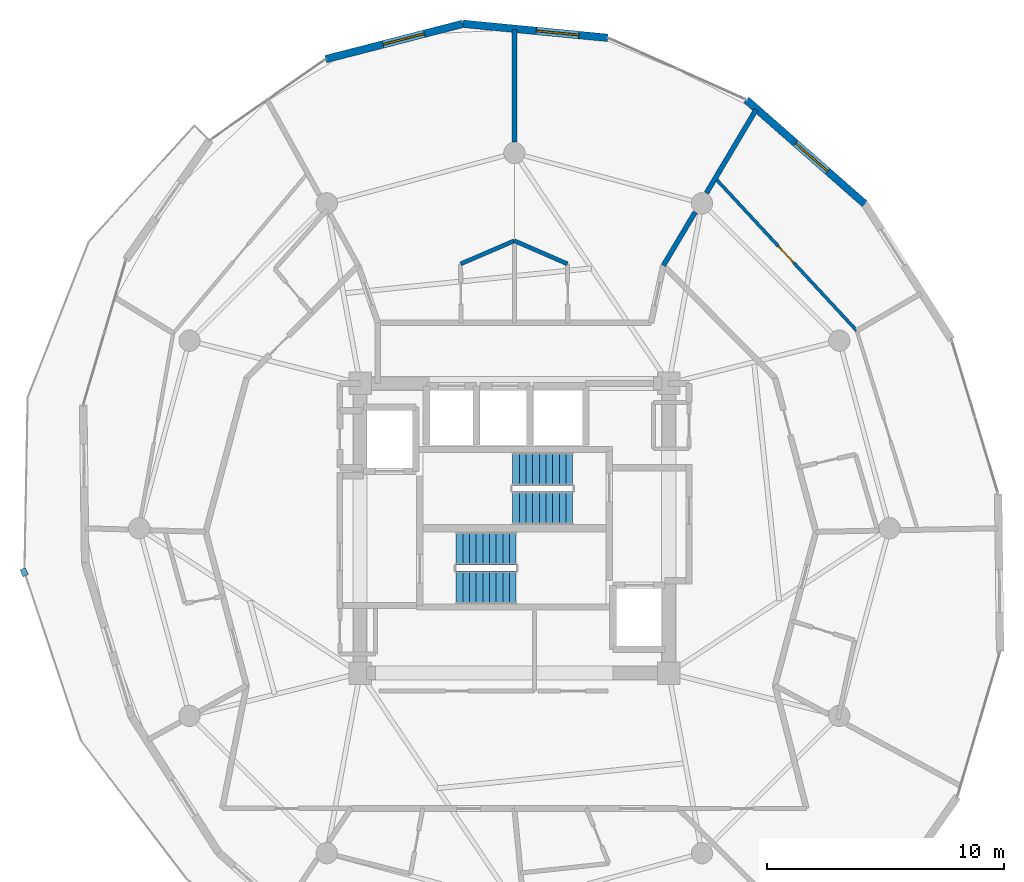
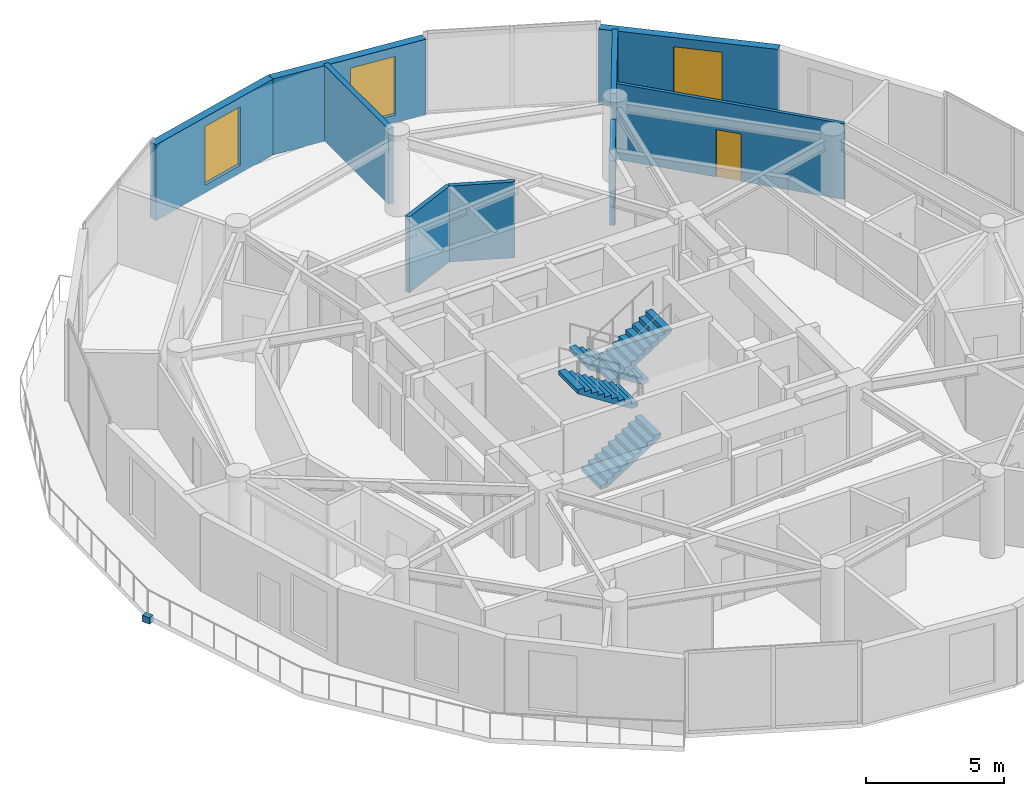
# One storey, part 19 of 21: 9 walls, 4 stair flights, 3 windows, 1 discrete accessory, 1 door, 4 openings, 2 elements without a shape of their own.
"""IFC4 building model written with IfcOpenShell, lengths in metres."""

from ifc_helpers import new_model, si_unit, direction, frame, frame_2d, origin, origin_2d, place, context, subcontext, project, spatial, polyline, rectangle, outline, extrude, material, layer, layer_set, type_object, element, fill, aggregate, save


model = new_model("IFC4")

# Units and contexts
model_context = context("Model", 3, precision=1e-05, world=origin(), true_north=direction((0.0, 1.0)))
body_context = subcontext(model_context, "Body", "Model", "MODEL_VIEW")
ifc_project = project(units=[si_unit("LENGTHUNIT", "METRE"), si_unit("AREAUNIT", "SQUARE_METRE"), si_unit("VOLUMEUNIT", "CUBIC_METRE"), si_unit("PLANEANGLEUNIT", "RADIAN"), si_unit("MASSUNIT", "GRAM", prefix="KILO")], contexts=[model_context])

# Site, building, storey
site_placement = place(None, origin())
site = spatial("IfcSite", under=ifc_project, at=site_placement, CompositionType="ELEMENT")
building_placement = place(site_placement, origin())
building = spatial("IfcBuilding", under=site, at=building_placement, Name="Solvirekh Grand Hotel", CompositionType="ELEMENT")
storey_placement = place(building_placement, frame((0.0, 0.0, 205.60009765625)))
storey = spatial("IfcBuildingStorey", under=building, at=storey_placement, Name="L53", CompositionType="ELEMENT", Elevation=205.60009765625)

# Wall, opening, window
ifc_material_1 = material(Name="Precast concrete C45/55", Category="concrete")
ifc_layer_1 = layer(ifc_material_1, 0.320068359375)
ifc_layer_set_1 = layer_set([ifc_layer_1], Name="Precast concrete C45/55")
wall_type_1 = type_object("IfcWallType", Name="ExtLobbyWall_RC320", PredefinedType="SOLIDWALL", material=ifc_layer_set_1)
wall_1_placement = place(storey_placement, frame((9.76708984375, 18.041015625, 0.0), z_axis=(0.0, 0.0, 1.0), x_axis=(0.751422430331, -0.659821438873, 0.0)))
wall_1 = element("IfcWall", 1, at=wall_1_placement, inside=storey, type_object=wall_type_1, Name="L53 exterior structural wall chord 7", PredefinedType="SOLIDWALL", context=body_context, shape_type="SweptSolid", body=[
    extrude(rectangle(XDim=6.636474609375, YDim=0.320068359375, at=frame_2d((3.318359375, 0.0))), origin(), (0.0, 0.0, 1.0), 3.35986328125),
])
opening_1_placement = place(wall_1_placement, frame((2.759033203125, 0.0, 0.35009765625)))
opening_1 = element("IfcOpeningElement", 2, at=opening_1_placement, cuts=wall_1, Name="Opening W02", PredefinedType="OPENING", context=body_context, shape_type="SweptSolid", body=[
    extrude(rectangle(XDim=1.800048828125, YDim=2.60009765625, at=frame_2d((0.89990234375, 1.300048828125))), frame((0.0, 0.169921875, 0.0), z_axis=(0.0, -1.0, 0.0), x_axis=(1.0, 0.0, 0.0)), (0.0, 0.0, 1.0), 0.340087890625),
])
ifc_material_2 = material(Name="Low-E Tinted Bronze Laminated Glass", Category="aluminium")
window_type = type_object("IfcWindowType", Name="Win_LobbyExt_1800X2600", PartitioningType="SINGLE_PANEL", PredefinedType="WINDOW", material=ifc_material_2)
window_1_placement = place(opening_1_placement, origin())
window_1 = element("IfcWindow", 3, at=window_1_placement, inside=storey, type_object=window_type, Name="L53 panoramic bronze-framed window 7", OverallHeight=2.60009765625, OverallWidth=1.800048828125, PartitioningType="SINGLE_PANEL", PredefinedType="WINDOW", context=body_context, shape_type="SweptSolid", body=[
    extrude(rectangle(XDim=1.800048828125, YDim=2.60009765625, at=frame_2d((0.89990234375, 1.300048828125))), frame((0.0, 0.030029296875, 0.0), z_axis=(0.0, -1.0, 0.0), x_axis=(1.0, 0.0, 0.0)), (0.0, 0.0, 1.0), 0.06005859375),
])
fill(opening_1, window_1)

wall_2_placement = place(storey_placement, frame((-2.1669921875, 21.2451171875, 0.0), z_axis=(0.0, 0.0, 1.0), x_axis=(0.995342991644, -0.096396727049, 0.0)))
wall_2 = element("IfcWall", 4, at=wall_2_placement, inside=storey, type_object=wall_type_1, Name="L53 exterior structural wall chord 9", PredefinedType="SOLIDWALL", context=body_context, shape_type="SweptSolid", body=[
    extrude(rectangle(XDim=6.131591796875, YDim=0.320068359375, at=frame_2d((3.06591796875, 0.0))), origin(), (0.0, 0.0, 1.0), 3.35986328125),
])
opening_2_placement = place(wall_2_placement, frame((3.10888671875, 0.0, 0.35009765625)))
opening_2 = element("IfcOpeningElement", 5, at=opening_2_placement, cuts=wall_2, Name="Opening W02", PredefinedType="OPENING", context=body_context, shape_type="SweptSolid", body=[
    extrude(rectangle(XDim=1.800048828125, YDim=2.60009765625, at=frame_2d((0.89990234375, 1.300048828125))), frame((0.0, 0.169921875, 0.0), z_axis=(0.0, -1.0, 0.0), x_axis=(1.0, 0.0, 0.0)), (0.0, 0.0, 1.0), 0.340087890625),
])
window_2_placement = place(opening_2_placement, origin())
window_2 = element("IfcWindow", 6, at=window_2_placement, inside=storey, type_object=window_type, Name="L53 panoramic bronze-framed window 9", OverallHeight=2.60009765625, OverallWidth=1.800048828125, PartitioningType="SINGLE_PANEL", PredefinedType="WINDOW", context=body_context, shape_type="SweptSolid", body=[
    extrude(rectangle(XDim=1.800048828125, YDim=2.60009765625, at=frame_2d((0.89990234375, 1.300048828125))), frame((0.0, 0.030029296875, 0.0), z_axis=(0.0, -1.0, 0.0), x_axis=(1.0, 0.0, 0.0)), (0.0, 0.0, 1.0), 0.06005859375),
])
fill(opening_2, window_2)

wall_3_placement = place(storey_placement, frame((-7.946044921875, 19.757080078125, 0.0), z_axis=(0.0, 0.0, 1.0), x_axis=(0.968412249537, 0.249354596803, 0.0)))
wall_3 = element("IfcWall", 7, at=wall_3_placement, inside=storey, type_object=wall_type_1, Name="L53 exterior structural wall chord 10", PredefinedType="SOLIDWALL", context=body_context, shape_type="SweptSolid", body=[
    extrude(rectangle(XDim=5.967529296875, YDim=0.320068359375, at=frame_2d((2.98388671875, 0.0))), origin(), (0.0, 0.0, 1.0), 3.35986328125),
])
opening_3_placement = place(wall_3_placement, frame((2.491943359375, 0.0, 0.35009765625)))
opening_3 = element("IfcOpeningElement", 8, at=opening_3_placement, cuts=wall_3, Name="Opening W02", PredefinedType="OPENING", context=body_context, shape_type="SweptSolid", body=[
    extrude(rectangle(XDim=1.800048828125, YDim=2.60009765625, at=frame_2d((0.89990234375, 1.300048828125))), frame((0.0, 0.169921875, 0.0), z_axis=(0.0, -1.0, 0.0), x_axis=(1.0, 0.0, 0.0)), (0.0, 0.0, 1.0), 0.340087890625),
])
window_3_placement = place(opening_3_placement, origin())
window_3 = element("IfcWindow", 9, at=window_3_placement, inside=storey, type_object=window_type, Name="L53 panoramic bronze-framed window 10", OverallHeight=2.60009765625, OverallWidth=1.800048828125, PartitioningType="SINGLE_PANEL", PredefinedType="WINDOW", context=body_context, shape_type="SweptSolid", body=[
    extrude(rectangle(XDim=1.800048828125, YDim=2.60009765625, at=frame_2d((0.89990234375, 1.300048828125))), frame((0.0, 0.030029296875, 0.0), z_axis=(0.0, -1.0, 0.0), x_axis=(1.0, 0.0, 0.0)), (0.0, 0.0, 1.0), 0.06005859375),
])
fill(opening_3, window_3)

# Wall, opening, door
ifc_material_3 = material(Name="Acoustic Gypsum Partition Assembly")
ifc_layer_2 = layer(ifc_material_3, 0.135009765625)
ifc_layer_set_2 = layer_set([ifc_layer_2], Name="Acoustic Gypsum Partition Assembly")
wall_type_2 = type_object("IfcWallType", Name="Part_RoomInt_135", PredefinedType="PARTITIONING", material=ifc_layer_set_2)
wall_4_placement = place(storey_placement, frame((14.41796875, 8.319091796875, 0.0), z_axis=(0.0, 0.0, 1.0), x_axis=(-0.680130290057, 0.733091255266, 0.0)))
wall_4 = element("IfcWall", 10, at=wall_4_placement, inside=storey, type_object=wall_type_2, Name="L53 Executive Suite 5506 Panorama Suite Study bedroom screen wall", PredefinedType="PARTITIONING", context=body_context, shape_type="SweptSolid", body=[
    extrude(rectangle(XDim=8.758544921875, YDim=0.135009765625, at=frame_2d((4.37939453125, 0.0))), origin(), (0.0, 0.0, 1.0), 3.35986328125),
])
opening_4_placement = place(wall_4_placement, frame((3.904052734375, 0.0, 0.0)))
opening_4 = element("IfcOpeningElement", 11, at=opening_4_placement, cuts=wall_4, Name="Opening D10", PredefinedType="OPENING", context=body_context, shape_type="SweptSolid", body=[
    extrude(rectangle(XDim=0.949951171875, YDim=2.10009765625, at=frame_2d((0.47509765625, 1.050048828125))), frame((0.0, 0.07763671875, 0.0), z_axis=(0.0, -1.0, 0.0), x_axis=(1.0, 0.0, 0.0)), (0.0, 0.0, 1.0), 0.155029296875),
])
ifc_material_4 = material(Name="Anodized Bronze Aluminium 6063-T6", Category="aluminium")
door_type = type_object("IfcDoorType", Name="Door_RoomInt_950X2100", OperationType="NOTDEFINED", PredefinedType="DOOR", material=ifc_material_4)
door_placement = place(opening_4_placement, origin())
door = element("IfcDoor", 12, at=door_placement, inside=storey, type_object=door_type, Name="L53 Executive Suite 5506 Panorama Suite Study master bedroom door", OperationType="SINGLE_SWING_RIGHT", OverallHeight=2.10009765625, OverallWidth=0.949951171875, PredefinedType="DOOR", context=body_context, shape_type="SweptSolid", body=[
    extrude(rectangle(XDim=0.949951171875, YDim=2.10009765625, at=frame_2d((0.47509765625, 1.050048828125))), frame((0.0, 0.02490234375, 0.0), z_axis=(0.0, -1.0, 0.0), x_axis=(1.0, 0.0, 0.0)), (0.0, 0.0, 1.0), 0.050048828125),
])
fill(opening_4, door)

# Walls
ifc_layer_3 = layer(ifc_material_3, 0.2099609375)
ifc_layer_set_3 = layer_set([ifc_layer_3], Name="Acoustic Gypsum Partition Assembly")
wall_type_3 = type_object("IfcWallType", Name="Part_SuiteDemise_210", PredefinedType="PARTITIONING", material=ifc_layer_set_3)
wall_5_placement = place(storey_placement, frame((6.27490234375, 11.06494140625, 0.0), z_axis=(0.0, 0.0, 1.0), x_axis=(0.511099633632, 0.859521474136, 0.0)))
element("IfcWall", 13, at=wall_5_placement, inside=storey, type_object=wall_type_3, Name="L53 suite radial wall 3 (A)", PredefinedType="PARTITIONING", context=body_context, shape_type="SweptSolid", body=[
    extrude(rectangle(XDim=2.6142578125, YDim=0.2099609375, at=frame_2d((1.30712890625, 0.0))), origin(), (0.0, 0.0, 1.0), 2.876953125),
])
wall_6_placement = place(storey_placement, frame((8.087890625, 14.114013671875, 0.0), z_axis=(0.0, 0.0, 1.0), x_axis=(0.511207736288, 0.859457183552, 0.0)))
element("IfcWall", 14, at=wall_6_placement, inside=storey, type_object=wall_type_3, Name="L53 suite radial wall 3 (B)", PredefinedType="PARTITIONING", context=body_context, shape_type="SweptSolid", body=[
    extrude(rectangle(XDim=4.088623046875, YDim=0.2099609375, at=frame_2d((2.04443359375, 0.0))), origin(), (0.0, 0.0, 1.0), 3.35986328125),
])
wall_7_placement = place(storey_placement, frame((0.0, 16.27001953125, 0.0), z_axis=(0.0, 0.0, 1.0), x_axis=(0.0, 1.0, 0.0)))
element("IfcWall", 15, at=wall_7_placement, inside=storey, type_object=wall_type_3, Name="L53 Deluxe Guestroom 5501 dividing partition 1 (B)", PredefinedType="PARTITIONING", context=body_context, shape_type="SweptSolid", body=[
    extrude(rectangle(XDim=4.72509765625, YDim=0.2099609375, at=frame_2d((2.362548828125, 0.0))), origin(), (0.0, 0.0, 1.0), 3.35986328125),
])
ifc_layer_4 = layer(ifc_material_3, 0.175048828125)
ifc_layer_set_4 = layer_set([ifc_layer_4], Name="Acoustic Gypsum Partition Assembly")
wall_type_4 = type_object("IfcWallType", Name="Plumb_Ensuite_175", PredefinedType="PLUMBINGWALL", material=ifc_layer_set_4)
wall_8_placement = place(storey_placement, frame((0.0, 12.10693359375, 0.0), z_axis=(0.0, 0.0, 1.0), x_axis=(0.916902788215, -0.399110607431, 0.0)))
element("IfcWall", 16, at=wall_8_placement, inside=storey, type_object=wall_type_4, Name="L53 En-suite Bathroom 5501 outer plumbing wall", PredefinedType="PLUMBINGWALL", context=body_context, shape_type="SweptSolid", body=[
    extrude(rectangle(XDim=2.437744140625, YDim=0.175048828125, at=frame_2d((1.21875, 0.0))), origin(), (0.0, 0.0, 1.0), 3.35986328125),
])
wall_9_placement = place(storey_placement, frame((-2.263916015625, 11.134033203125, 0.0), z_axis=(0.0, 0.0, 1.0), x_axis=(0.918755099671, 0.3948278952, 0.0)))
element("IfcWall", 17, at=wall_9_placement, inside=storey, type_object=wall_type_4, Name="L53 En-suite Bathroom 5502 outer plumbing wall", PredefinedType="PLUMBINGWALL", context=body_context, shape_type="SweptSolid", body=[
    extrude(rectangle(XDim=2.464111328125, YDim=0.175048828125, at=frame_2d((1.23193359375, 0.0))), origin(), (0.0, 0.0, 1.0), 3.35986328125),
])

# Stair, stair flights
ifc_material_5 = material(Name="Concrete C40/50", Category="concrete")
stair_type = type_object("IfcStairType", Name="Stair_Core_1450", PredefinedType="HALF_TURN_STAIR", material=ifc_material_5)
stair_1_placement = place(storey_placement, origin())
stair_1 = element("IfcStair", 18, at=stair_1_placement, inside=storey, type_object=stair_type, Name="L53 Enclosed exit stair ST-1", PredefinedType="HALF_TURN_STAIR")
stair_flight_type = type_object("IfcStairFlightType", Name="Flight_Core_1450", PredefinedType="STRAIGHT", material=ifc_material_5)
stair_flight_1_placement = place(storey_placement, frame((-2.449951171875, -2.5, 0.0), z_axis=(0.0, 0.0, 1.0), x_axis=(1.0, 0.0, 0.0)))
stair_flight_1 = element("IfcStairFlight", 19, at=stair_flight_1_placement, type_object=stair_flight_type, Name="ST-1 flight 1", NumberOfRisers=10, NumberOfTreads=9, PredefinedType="STRAIGHT", RiserHeight=0.18, TreadLength=0.28, context=body_context, shape_type="SweptSolid", body=[
    extrude(outline(polyline([(0.0, 0.0), (0.0, 0.179931640625), (0.280029296875, 0.179931640625), (0.280029296875, 0.360107421875), (0.56005859375, 0.360107421875), (0.56005859375, 0.5400390625), (0.840087890625, 0.5400390625), (0.840087890625, 0.719970703125), (1.1201171875, 0.719970703125), (1.1201171875, 0.89990234375), (1.39990234375, 0.89990234375), (1.39990234375, 1.080078125), (1.679931640625, 1.080078125), (1.679931640625, 1.260009765625), (1.9599609375, 1.260009765625), (1.9599609375, 1.43994140625), (2.239990234375, 1.43994140625), (2.239990234375, 1.6201171875), (2.52001953125, 1.6201171875), (2.52001953125, 1.800048828125), (2.52001953125, 1.44189453125), (0.277099609375, 0.0), (0.0, 0.0)])), frame((0.0, 0.699951171875, 0.0), z_axis=(0.0, -1.0, 0.0), x_axis=(1.0, 0.0, 0.0)), (0.0, 0.0, 1.0), 1.39990234375),
])
stair_flight_2_placement = place(storey_placement, frame((0.070068359375, -0.85009765625, 1.7998046875), z_axis=(0.0, 0.0, 1.0), x_axis=(-1.0, 0.0, 0.0)))
stair_flight_2 = element("IfcStairFlight", 20, at=stair_flight_2_placement, type_object=stair_flight_type, Name="ST-1 flight 2", NumberOfRisers=10, NumberOfTreads=9, PredefinedType="STRAIGHT", RiserHeight=0.18, TreadLength=0.28, context=body_context, shape_type="SweptSolid", body=[
    extrude(outline(polyline([(0.0, 0.0), (0.0, 0.179931640625), (0.280029296875, 0.179931640625), (0.280029296875, 0.360107421875), (0.56005859375, 0.360107421875), (0.56005859375, 0.5400390625), (0.840087890625, 0.5400390625), (0.840087890625, 0.719970703125), (1.1201171875, 0.719970703125), (1.1201171875, 0.89990234375), (1.39990234375, 0.89990234375), (1.39990234375, 1.080078125), (1.679931640625, 1.080078125), (1.679931640625, 1.260009765625), (1.9599609375, 1.260009765625), (1.9599609375, 1.43994140625), (2.239990234375, 1.43994140625), (2.239990234375, 1.6201171875), (2.52001953125, 1.6201171875), (2.52001953125, 1.800048828125), (2.52001953125, 1.44189453125), (0.277099609375, 0.0), (0.0, 0.0)])), frame((0.0, 0.699951171875, 0.0), z_axis=(0.0, -1.0, 0.0), x_axis=(1.0, 0.0, 0.0)), (0.0, 0.0, 1.0), 1.39990234375),
])
aggregate(stair_1, [stair_flight_1, stair_flight_2])

stair_2_placement = place(storey_placement, origin())
stair_2 = element("IfcStair", 21, at=stair_2_placement, inside=storey, type_object=stair_type, Name="L53 Enclosed exit stair ST-2", PredefinedType="HALF_TURN_STAIR")
stair_flight_3_placement = place(storey_placement, frame((2.449951171875, 2.5, 0.0), z_axis=(0.0, 0.0, 1.0), x_axis=(-1.0, 0.0, 0.0)))
stair_flight_3 = element("IfcStairFlight", 22, at=stair_flight_3_placement, type_object=stair_flight_type, Name="ST-2 flight 1", NumberOfRisers=10, NumberOfTreads=9, PredefinedType="STRAIGHT", RiserHeight=0.18, TreadLength=0.28, context=body_context, shape_type="SweptSolid", body=[
    extrude(outline(polyline([(0.0, 0.0), (0.0, 0.179931640625), (0.280029296875, 0.179931640625), (0.280029296875, 0.360107421875), (0.56005859375, 0.360107421875), (0.56005859375, 0.5400390625), (0.840087890625, 0.5400390625), (0.840087890625, 0.719970703125), (1.1201171875, 0.719970703125), (1.1201171875, 0.89990234375), (1.39990234375, 0.89990234375), (1.39990234375, 1.080078125), (1.679931640625, 1.080078125), (1.679931640625, 1.260009765625), (1.9599609375, 1.260009765625), (1.9599609375, 1.43994140625), (2.239990234375, 1.43994140625), (2.239990234375, 1.6201171875), (2.52001953125, 1.6201171875), (2.52001953125, 1.800048828125), (2.52001953125, 1.44189453125), (0.277099609375, 0.0), (0.0, 0.0)])), frame((0.0, 0.699951171875, 0.0), z_axis=(0.0, -1.0, 0.0), x_axis=(1.0, 0.0, 0.0)), (0.0, 0.0, 1.0), 1.39990234375),
])
stair_flight_4_placement = place(storey_placement, frame((-0.070068359375, 0.85009765625, 1.7998046875), z_axis=(0.0, 0.0, 1.0), x_axis=(1.0, 0.0, 0.0)))
stair_flight_4 = element("IfcStairFlight", 23, at=stair_flight_4_placement, type_object=stair_flight_type, Name="ST-2 flight 2", NumberOfRisers=10, NumberOfTreads=9, PredefinedType="STRAIGHT", RiserHeight=0.18, TreadLength=0.28, context=body_context, shape_type="SweptSolid", body=[
    extrude(outline(polyline([(0.0, 0.0), (0.0, 0.179931640625), (0.280029296875, 0.179931640625), (0.280029296875, 0.360107421875), (0.56005859375, 0.360107421875), (0.56005859375, 0.5400390625), (0.840087890625, 0.5400390625), (0.840087890625, 0.719970703125), (1.1201171875, 0.719970703125), (1.1201171875, 0.89990234375), (1.39990234375, 0.89990234375), (1.39990234375, 1.080078125), (1.679931640625, 1.080078125), (1.679931640625, 1.260009765625), (1.9599609375, 1.260009765625), (1.9599609375, 1.43994140625), (2.239990234375, 1.43994140625), (2.239990234375, 1.6201171875), (2.52001953125, 1.6201171875), (2.52001953125, 1.800048828125), (2.52001953125, 1.44189453125), (0.277099609375, 0.0), (0.0, 0.0)])), frame((0.0, 0.699951171875, 0.0), z_axis=(0.0, -1.0, 0.0), x_axis=(1.0, 0.0, 0.0)), (0.0, 0.0, 1.0), 1.39990234375),
])
aggregate(stair_2, [stair_flight_3, stair_flight_4])

# Discrete accessory
ifc_material_6 = material(Name="Steel S355", Category="steel")
discrete_accessory_type = type_object("IfcDiscreteAccessoryType", Name="Acc_ThermalBracket", PredefinedType="BRACKET", material=ifc_material_6)
discrete_accessory_placement = place(storey_placement, frame((-20.64404296875, -1.85205078125, -0.2802734375), z_axis=(0.0, 0.0, 1.0), x_axis=(0.417867073801, -0.908508177527, 0.0)))
element("IfcDiscreteAccessory", 24, at=discrete_accessory_placement, inside=storey, type_object=discrete_accessory_type, Name="L53 balcony thermal-break bracket", PredefinedType="BRACKET", context=body_context, shape_type="SweptSolid", body=[
    extrude(rectangle(XDim=0.320068359375, YDim=0.239990234375, at=origin_2d()), origin(), (0.0, 0.0, 1.0), 0.280029296875),
])

save(model, "model.ifc")
